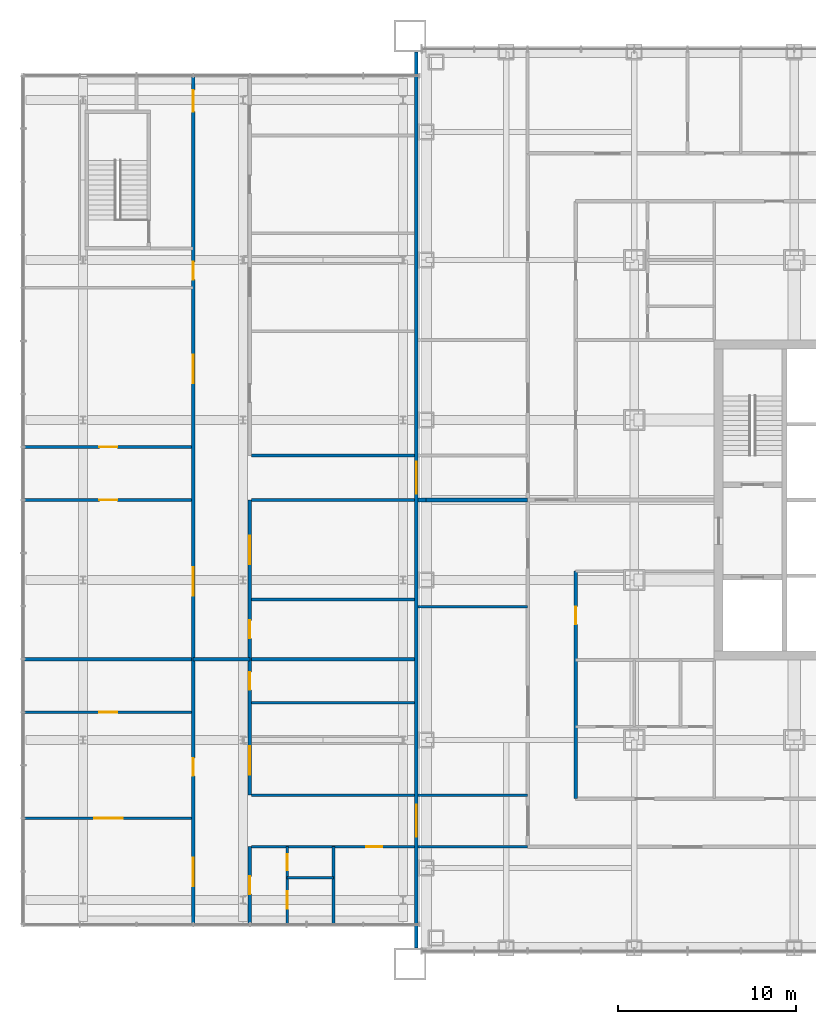
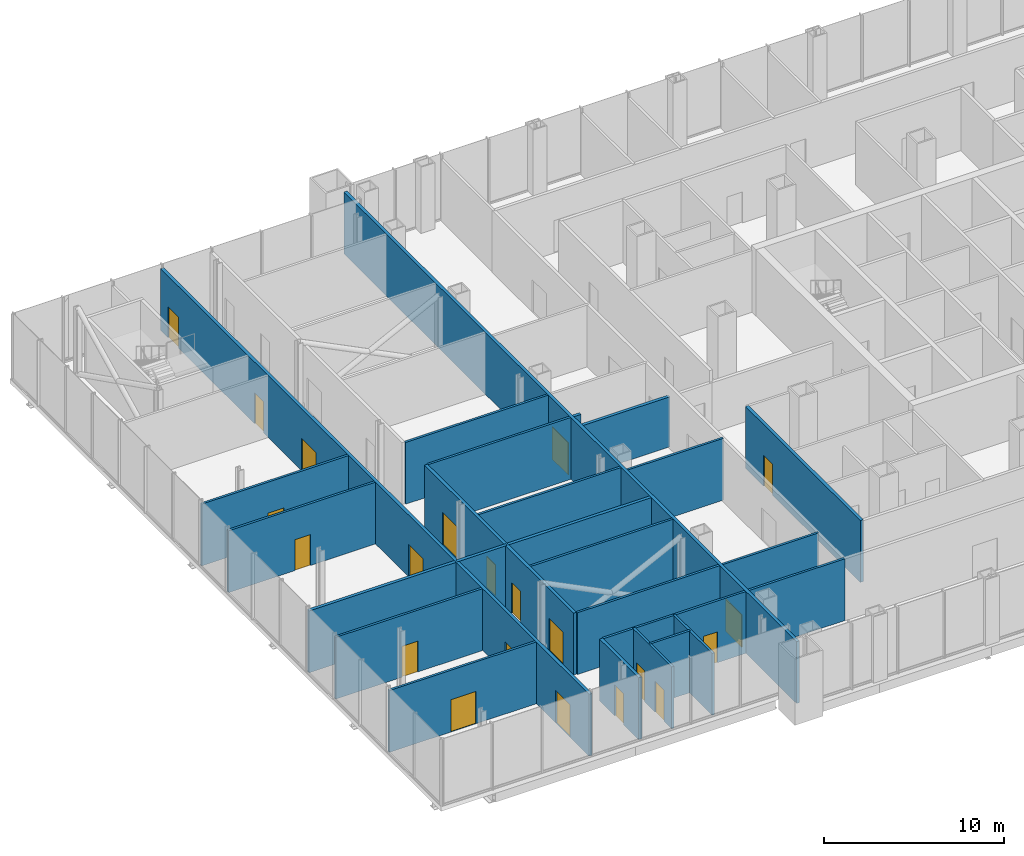
# One storey, part 15 of 25: 26 walls, 21 doors, 21 openings.
"""IFC4 building model written with IfcOpenShell, lengths in metres."""

from ifc_helpers import new_model, si_unit, direction, frame, frame_2d, origin, place, context, subcontext, project, spatial, rectangle, extrude, material, layer, layer_set, type_object, element, fill, save


model = new_model("IFC4")

# Units and contexts
model_context = context("Model", 3, precision=1e-05, world=origin(), true_north=direction((0.0, 1.0)))
body_context = subcontext(model_context, "Body", "Model", "MODEL_VIEW")
ifc_project = project(units=[si_unit("LENGTHUNIT", "METRE"), si_unit("AREAUNIT", "SQUARE_METRE"), si_unit("VOLUMEUNIT", "CUBIC_METRE"), si_unit("PLANEANGLEUNIT", "RADIAN"), si_unit("MASSUNIT", "GRAM", prefix="KILO")], contexts=[model_context])

# Site, building, storey
site_placement = place(None, origin())
site = spatial("IfcSite", under=ifc_project, at=site_placement, CompositionType="ELEMENT")
building_placement = place(site_placement, origin())
building = spatial("IfcBuilding", under=site, at=building_placement, Name="Malebo Sky Hospital", CompositionType="ELEMENT")
storey_placement = place(building_placement, frame((0.0, 0.0, 16.5)))
storey = spatial("IfcBuildingStorey", under=building, at=storey_placement, Name="L03", CompositionType="ELEMENT", Elevation=16.5)

# Wall, opening, door
ifc_material_1 = material(Name="Gypsum board on steel studs", Category="steel")
ifc_layer_1 = layer(ifc_material_1, 0.199951171875)
ifc_layer_set_1 = layer_set([ifc_layer_1], Name="CORRIDOR WALL 200")
wall_type_1 = type_object("IfcWallType", Name="CORRIDOR WALL 200", PredefinedType="PARTITIONING", material=ifc_layer_set_1)
wall_1_placement = place(storey_placement, frame((43.199951171875, 45.199951171875, 0.0), z_axis=(0.0, 0.0, 1.0), x_axis=(0.0, 1.0, 0.0)))
wall_1 = element("IfcWall", 1, at=wall_1_placement, inside=storey, type_object=wall_type_1, Name="Corridor Wall 200 WCI1", PredefinedType="PARTITIONING", context=body_context, shape_type="SweptSolid", body=[
    extrude(rectangle(XDim=12.800048828125, YDim=0.199951171875, at=frame_2d((6.39990234375, 0.0))), origin(), (0.0, 0.0, 1.0), 4.199951171875),
])
opening_1_placement = place(wall_1_placement, frame((9.800048828125, 0.0, 0.0)))
opening_1 = element("IfcOpeningElement", 2, at=opening_1_placement, cuts=wall_1, Name="Opening D03", PredefinedType="OPENING", context=body_context, shape_type="SweptSolid", body=[
    extrude(rectangle(XDim=1.0, YDim=2.10009765625, at=frame_2d((0.5, 1.050048828125))), frame((0.0, 0.10986328125, 0.0), z_axis=(0.0, -1.0, 0.0), x_axis=(1.0, 0.0, 0.0)), (0.0, 0.0, 1.0), 0.219970703125),
])
ifc_material_2 = material(Name="Hardwood-faced door leaf in steel frame", Category="steel")
door_type_1 = type_object("IfcDoorType", Name="ROOM DOOR 1000", OperationType="SINGLE_SWING_LEFT", PredefinedType="DOOR", material=ifc_material_2)
door_1_placement = place(opening_1_placement, origin())
door_1 = element("IfcDoor", 3, at=door_1_placement, inside=storey, type_object=door_type_1, Name="Staff rest room door", OperationType="SINGLE_SWING_LEFT", OverallHeight=2.10009765625, OverallWidth=1.0, PredefinedType="DOOR", context=body_context, shape_type="SweptSolid", body=[
    extrude(rectangle(XDim=1.0, YDim=2.10009765625, at=frame_2d((0.5, 1.050048828125))), frame((0.0, 0.02490234375, 0.0), z_axis=(0.0, -1.0, 0.0), x_axis=(1.0, 0.0, 0.0)), (0.0, 0.0, 1.0), 0.050048828125),
])
fill(opening_1, door_1)

# Wall, openings, doors
wall_2_placement = place(storey_placement, frame((21.693115234375, 38.14990234375, 0.0), z_axis=(0.0, 0.0, 1.0), x_axis=(0.0, 1.0, 0.0)))
wall_2 = element("IfcWall", 4, at=wall_2_placement, inside=storey, type_object=wall_type_1, Name="Corridor Wall 200 WWC1", PredefinedType="PARTITIONING", context=body_context, shape_type="SweptSolid", body=[
    extrude(rectangle(XDim=47.7001953125, YDim=0.199951171875, at=frame_2d((23.85009765625, 0.0))), origin(), (0.0, 0.0, 1.0), 4.199951171875),
])
opening_2_placement = place(wall_2_placement, frame((45.699951171875, 0.0, 0.0)))
opening_2 = element("IfcOpeningElement", 5, at=opening_2_placement, cuts=wall_2, Name="Opening D08", PredefinedType="OPENING", context=body_context, shape_type="SweptSolid", body=[
    extrude(rectangle(XDim=1.199951171875, YDim=2.10009765625, at=frame_2d((0.60009765625, 1.050048828125))), frame((0.0, 0.10986328125, 0.0), z_axis=(0.0, -1.0, 0.0), x_axis=(1.0, 0.0, 0.0)), (0.0, 0.0, 1.0), 0.219970703125),
])
opening_3_placement = place(wall_2_placement, frame((36.24365234375, 0.0, 0.0)))
opening_3 = element("IfcOpeningElement", 6, at=opening_3_placement, cuts=wall_2, Name="Opening D03", PredefinedType="OPENING", context=body_context, shape_type="SweptSolid", body=[
    extrude(rectangle(XDim=1.0, YDim=2.10009765625, at=frame_2d((0.5, 1.050048828125))), frame((0.0, 0.10986328125, 0.0), z_axis=(0.0, -1.0, 0.0), x_axis=(1.0, 0.0, 0.0)), (0.0, 0.0, 1.0), 0.219970703125),
])
opening_4_placement = place(wall_2_placement, frame((2.121826171875, 0.0, 0.0)))
opening_4 = element("IfcOpeningElement", 7, at=opening_4_placement, cuts=wall_2, Name="Opening D14", PredefinedType="OPENING", context=body_context, shape_type="SweptSolid", body=[
    extrude(rectangle(XDim=1.60009765625, YDim=2.199951171875, at=frame_2d((0.800048828125, 1.10009765625))), frame((0.0, 0.10986328125, 0.0), z_axis=(0.0, -1.0, 0.0), x_axis=(1.0, 0.0, 0.0)), (0.0, 0.0, 1.0), 0.219970703125),
])
opening_5_placement = place(wall_2_placement, frame((8.328125, 0.0, 0.0)))
opening_5 = element("IfcOpeningElement", 8, at=opening_5_placement, cuts=wall_2, Name="Opening D03", PredefinedType="OPENING", context=body_context, shape_type="SweptSolid", body=[
    extrude(rectangle(XDim=1.0, YDim=2.10009765625, at=frame_2d((0.5, 1.050048828125))), frame((0.0, 0.10986328125, 0.0), z_axis=(0.0, -1.0, 0.0), x_axis=(1.0, 0.0, 0.0)), (0.0, 0.0, 1.0), 0.219970703125),
])
opening_6_placement = place(wall_2_placement, frame((18.473388671875, 0.0, 0.0)))
opening_6 = element("IfcOpeningElement", 9, at=opening_6_placement, cuts=wall_2, Name="Opening D14", PredefinedType="OPENING", context=body_context, shape_type="SweptSolid", body=[
    extrude(rectangle(XDim=1.60009765625, YDim=2.199951171875, at=frame_2d((0.800048828125, 1.10009765625))), frame((0.0, 0.10986328125, 0.0), z_axis=(0.0, -1.0, 0.0), x_axis=(1.0, 0.0, 0.0)), (0.0, 0.0, 1.0), 0.219970703125),
])
opening_7_placement = place(wall_2_placement, frame((30.410888671875, 0.0, 0.0)))
opening_7 = element("IfcOpeningElement", 10, at=opening_7_placement, cuts=wall_2, Name="Opening D14", PredefinedType="OPENING", context=body_context, shape_type="SweptSolid", body=[
    extrude(rectangle(XDim=1.60009765625, YDim=2.199951171875, at=frame_2d((0.800048828125, 1.10009765625))), frame((0.0, 0.10986328125, 0.0), z_axis=(0.0, -1.0, 0.0), x_axis=(1.0, 0.0, 0.0)), (0.0, 0.0, 1.0), 0.219970703125),
])
door_type_2 = type_object("IfcDoorType", Name="DEPARTMENT DOOR PAIR 1600", OperationType="DOUBLE_DOOR_DOUBLE_SWING", PredefinedType="DOOR", material=ifc_material_2)
door_2_placement = place(opening_4_placement, origin())
door_2 = element("IfcDoor", 11, at=door_2_placement, inside=storey, type_object=door_type_2, Name="Dirty goods in door", OperationType="DOUBLE_DOOR_DOUBLE_SWING", OverallHeight=2.199951171875, OverallWidth=1.60009765625, PredefinedType="DOOR", context=body_context, shape_type="SweptSolid", body=[
    extrude(rectangle(XDim=1.60009765625, YDim=2.199951171875, at=frame_2d((0.800048828125, 1.10009765625))), frame((0.0, 0.02490234375, 0.0), z_axis=(0.0, -1.0, 0.0), x_axis=(1.0, 0.0, 0.0)), (0.0, 0.0, 1.0), 0.050048828125),
])
fill(opening_4, door_2)
door_3_placement = place(opening_6_placement, origin())
door_3 = element("IfcDoor", 12, at=door_3_placement, inside=storey, type_object=door_type_2, Name="Inspection and packing room door", OperationType="DOUBLE_DOOR_DOUBLE_SWING", OverallHeight=2.199951171875, OverallWidth=1.60009765625, PredefinedType="DOOR", context=body_context, shape_type="SweptSolid", body=[
    extrude(rectangle(XDim=1.60009765625, YDim=2.199951171875, at=frame_2d((0.800048828125, 1.10009765625))), frame((0.0, 0.02490234375, 0.0), z_axis=(0.0, -1.0, 0.0), x_axis=(1.0, 0.0, 0.0)), (0.0, 0.0, 1.0), 0.050048828125),
])
fill(opening_6, door_3)
door_4_placement = place(opening_7_placement, origin())
door_4 = element("IfcDoor", 13, at=door_4_placement, inside=storey, type_object=door_type_2, Name="Sterile store door", OperationType="DOUBLE_DOOR_DOUBLE_SWING", OverallHeight=2.199951171875, OverallWidth=1.60009765625, PredefinedType="DOOR", context=body_context, shape_type="SweptSolid", body=[
    extrude(rectangle(XDim=1.60009765625, YDim=2.199951171875, at=frame_2d((0.800048828125, 1.10009765625))), frame((0.0, 0.02490234375, 0.0), z_axis=(0.0, -1.0, 0.0), x_axis=(1.0, 0.0, 0.0)), (0.0, 0.0, 1.0), 0.050048828125),
])
fill(opening_7, door_4)
door_5_placement = place(opening_3_placement, origin())
door_5 = element("IfcDoor", 14, at=door_5_placement, inside=storey, type_object=door_type_1, Name="Sterile goods store door", OperationType="SINGLE_SWING_LEFT", OverallHeight=2.10009765625, OverallWidth=1.0, PredefinedType="DOOR", context=body_context, shape_type="SweptSolid", body=[
    extrude(rectangle(XDim=1.0, YDim=2.10009765625, at=frame_2d((0.5, 1.050048828125))), frame((0.0, 0.02490234375, 0.0), z_axis=(0.0, -1.0, 0.0), x_axis=(1.0, 0.0, 0.0)), (0.0, 0.0, 1.0), 0.050048828125),
])
fill(opening_3, door_5)
door_6_placement = place(opening_5_placement, origin())
door_6 = element("IfcDoor", 15, at=door_6_placement, inside=storey, type_object=door_type_1, Name="Decontamination room door", OperationType="SINGLE_SWING_LEFT", OverallHeight=2.10009765625, OverallWidth=1.0, PredefinedType="DOOR", context=body_context, shape_type="SweptSolid", body=[
    extrude(rectangle(XDim=1.0, YDim=2.10009765625, at=frame_2d((0.5, 1.050048828125))), frame((0.0, 0.02490234375, 0.0), z_axis=(0.0, -1.0, 0.0), x_axis=(1.0, 0.0, 0.0)), (0.0, 0.0, 1.0), 0.050048828125),
])
fill(opening_5, door_6)
door_type_3 = type_object("IfcDoorType", Name="STAIR DOOR 1200", OperationType="SINGLE_SWING_LEFT", PredefinedType="DOOR", material=ifc_material_2)
door_7_placement = place(opening_2_placement, origin())
door_7 = element("IfcDoor", 16, at=door_7_placement, inside=storey, type_object=door_type_3, Name="Stair lobby door", OperationType="SINGLE_SWING_RIGHT", OverallHeight=2.10009765625, OverallWidth=1.199951171875, PredefinedType="DOOR", context=body_context, shape_type="SweptSolid", body=[
    extrude(rectangle(XDim=1.199951171875, YDim=2.10009765625, at=frame_2d((0.60009765625, 1.050048828125))), frame((0.0, 0.02490234375, 0.0), z_axis=(0.0, -1.0, 0.0), x_axis=(1.0, 0.0, 0.0)), (0.0, 0.0, 1.0), 0.050048828125),
])
fill(opening_2, door_7)

# Wall, opening, door
wall_3_placement = place(storey_placement, frame((24.882080078125, 38.14990234375, 0.0), z_axis=(0.0, 0.0, 1.0), x_axis=(0.0, 1.0, 0.0)))
wall_3 = element("IfcWall", 17, at=wall_3_placement, inside=storey, type_object=wall_type_1, Name="Corridor Wall 200 WWC2A", PredefinedType="PARTITIONING", context=body_context, shape_type="SweptSolid", body=[
    extrude(rectangle(XDim=4.35009765625, YDim=0.199951171875, at=frame_2d((2.175048828125, 0.0))), origin(), (0.0, 0.0, 1.0), 4.199951171875),
])
opening_8_placement = place(wall_3_placement, frame((1.675048828125, 0.0, 0.0)))
opening_8 = element("IfcOpeningElement", 18, at=opening_8_placement, cuts=wall_3, Name="Opening D03", PredefinedType="OPENING", context=body_context, shape_type="SweptSolid", body=[
    extrude(rectangle(XDim=1.0, YDim=2.10009765625, at=frame_2d((0.5, 1.050048828125))), frame((0.0, 0.10986328125, 0.0), z_axis=(0.0, -1.0, 0.0), x_axis=(1.0, 0.0, 0.0)), (0.0, 0.0, 1.0), 0.219970703125),
])
door_8_placement = place(opening_8_placement, origin())
door_8 = element("IfcDoor", 19, at=door_8_placement, inside=storey, type_object=door_type_1, Name="WC vestibule door", OperationType="SINGLE_SWING_RIGHT", OverallHeight=2.10009765625, OverallWidth=1.0, PredefinedType="DOOR", context=body_context, shape_type="SweptSolid", body=[
    extrude(rectangle(XDim=1.0, YDim=2.10009765625, at=frame_2d((0.5, 1.050048828125))), frame((0.0, 0.02490234375, 0.0), z_axis=(0.0, -1.0, 0.0), x_axis=(1.0, 0.0, 0.0)), (0.0, 0.0, 1.0), 0.050048828125),
])
fill(opening_8, door_8)

# Wall, openings, doors
wall_4_placement = place(storey_placement, frame((24.882080078125, 45.39990234375, 0.0), z_axis=(0.0, 0.0, 1.0), x_axis=(0.0, 1.0, 0.0)))
wall_4 = element("IfcWall", 20, at=wall_4_placement, inside=storey, type_object=wall_type_1, Name="Corridor Wall 200 WWC2B", PredefinedType="PARTITIONING", context=body_context, shape_type="SweptSolid", body=[
    extrude(rectangle(XDim=16.60009765625, YDim=0.199951171875, at=frame_2d((8.300048828125, 0.0))), origin(), (0.0, 0.0, 1.0), 4.199951171875),
])
opening_9_placement = place(wall_4_placement, frame((1.14990234375, 0.0, 0.0)))
opening_9 = element("IfcOpeningElement", 21, at=opening_9_placement, cuts=wall_4, Name="Opening D14", PredefinedType="OPENING", context=body_context, shape_type="SweptSolid", body=[
    extrude(rectangle(XDim=1.60009765625, YDim=2.199951171875, at=frame_2d((0.800048828125, 1.10009765625))), frame((0.0, 0.10986328125, 0.0), z_axis=(0.0, -1.0, 0.0), x_axis=(1.0, 0.0, 0.0)), (0.0, 0.0, 1.0), 0.219970703125),
])
opening_10_placement = place(wall_4_placement, frame((5.923583984375, 0.0, 0.0)))
opening_10 = element("IfcOpeningElement", 22, at=opening_10_placement, cuts=wall_4, Name="Opening D03", PredefinedType="OPENING", context=body_context, shape_type="SweptSolid", body=[
    extrude(rectangle(XDim=1.0, YDim=2.10009765625, at=frame_2d((0.5, 1.050048828125))), frame((0.0, 0.10986328125, 0.0), z_axis=(0.0, -1.0, 0.0), x_axis=(1.0, 0.0, 0.0)), (0.0, 0.0, 1.0), 0.219970703125),
])
opening_11_placement = place(wall_4_placement, frame((8.823486328125, 0.0, 0.0)))
opening_11 = element("IfcOpeningElement", 23, at=opening_11_placement, cuts=wall_4, Name="Opening D03", PredefinedType="OPENING", context=body_context, shape_type="SweptSolid", body=[
    extrude(rectangle(XDim=1.0, YDim=2.10009765625, at=frame_2d((0.5, 1.050048828125))), frame((0.0, 0.10986328125, 0.0), z_axis=(0.0, -1.0, 0.0), x_axis=(1.0, 0.0, 0.0)), (0.0, 0.0, 1.0), 0.219970703125),
])
opening_12_placement = place(wall_4_placement, frame((13.0, 0.0, 0.0)))
opening_12 = element("IfcOpeningElement", 24, at=opening_12_placement, cuts=wall_4, Name="Opening D14", PredefinedType="OPENING", context=body_context, shape_type="SweptSolid", body=[
    extrude(rectangle(XDim=1.60009765625, YDim=2.199951171875, at=frame_2d((0.800048828125, 1.10009765625))), frame((0.0, 0.10986328125, 0.0), z_axis=(0.0, -1.0, 0.0), x_axis=(1.0, 0.0, 0.0)), (0.0, 0.0, 1.0), 0.219970703125),
])
door_9_placement = place(opening_9_placement, origin())
door_9 = element("IfcDoor", 25, at=door_9_placement, inside=storey, type_object=door_type_2, Name="Trolley wash room door", OperationType="DOUBLE_DOOR_DOUBLE_SWING", OverallHeight=2.199951171875, OverallWidth=1.60009765625, PredefinedType="DOOR", context=body_context, shape_type="SweptSolid", body=[
    extrude(rectangle(XDim=1.60009765625, YDim=2.199951171875, at=frame_2d((0.800048828125, 1.10009765625))), frame((0.0, 0.02490234375, 0.0), z_axis=(0.0, -1.0, 0.0), x_axis=(1.0, 0.0, 0.0)), (0.0, 0.0, 1.0), 0.050048828125),
])
fill(opening_9, door_9)
door_10_placement = place(opening_12_placement, origin())
door_10 = element("IfcDoor", 26, at=door_10_placement, inside=storey, type_object=door_type_2, Name="Clean goods out door", OperationType="DOUBLE_DOOR_DOUBLE_SWING", OverallHeight=2.199951171875, OverallWidth=1.60009765625, PredefinedType="DOOR", context=body_context, shape_type="SweptSolid", body=[
    extrude(rectangle(XDim=1.60009765625, YDim=2.199951171875, at=frame_2d((0.800048828125, 1.10009765625))), frame((0.0, 0.02490234375, 0.0), z_axis=(0.0, -1.0, 0.0), x_axis=(1.0, 0.0, 0.0)), (0.0, 0.0, 1.0), 0.050048828125),
])
fill(opening_12, door_10)
door_11_placement = place(opening_10_placement, origin())
door_11 = element("IfcDoor", 27, at=door_11_placement, inside=storey, type_object=door_type_1, Name="Sterile services changing room door", OperationType="SINGLE_SWING_RIGHT", OverallHeight=2.10009765625, OverallWidth=1.0, PredefinedType="DOOR", context=body_context, shape_type="SweptSolid", body=[
    extrude(rectangle(XDim=1.0, YDim=2.10009765625, at=frame_2d((0.5, 1.050048828125))), frame((0.0, 0.02490234375, 0.0), z_axis=(0.0, -1.0, 0.0), x_axis=(1.0, 0.0, 0.0)), (0.0, 0.0, 1.0), 0.050048828125),
])
fill(opening_10, door_11)
door_12_placement = place(opening_11_placement, origin())
door_12 = element("IfcDoor", 28, at=door_12_placement, inside=storey, type_object=door_type_1, Name="Sterile services office door", OperationType="SINGLE_SWING_LEFT", OverallHeight=2.10009765625, OverallWidth=1.0, PredefinedType="DOOR", context=body_context, shape_type="SweptSolid", body=[
    extrude(rectangle(XDim=1.0, YDim=2.10009765625, at=frame_2d((0.5, 1.050048828125))), frame((0.0, 0.02490234375, 0.0), z_axis=(0.0, -1.0, 0.0), x_axis=(1.0, 0.0, 0.0)), (0.0, 0.0, 1.0), 0.050048828125),
])
fill(opening_11, door_12)

ifc_material_3 = material(Name="Concrete blockwork", Category="masonry")
ifc_layer_2 = layer(ifc_material_3, 0.199951171875)
ifc_layer_set_2 = layer_set([ifc_layer_2], Name="MOVEMENT JOINT WALL 200")
wall_type_2 = type_object("IfcWallType", Name="MOVEMENT JOINT WALL 200", PredefinedType="SOLIDWALL", material=ifc_layer_set_2)
wall_5_placement = place(storey_placement, frame((34.25, 36.800048828125, 0.0), z_axis=(0.0, 0.0, 1.0), x_axis=(0.0, 1.0, 0.0)))
wall_5 = element("IfcWall", 29, at=wall_5_placement, inside=storey, type_object=wall_type_2, Name="Movement Joint Wall 200 WJ", PredefinedType="SOLIDWALL", context=body_context, shape_type="SweptSolid", body=[
    extrude(rectangle(XDim=50.39990234375, YDim=0.199951171875, at=frame_2d((25.199951171875, 0.0))), origin(), (0.0, 0.0, 1.0), 4.199951171875),
])
opening_13_placement = place(wall_5_placement, frame((6.25, 0.0, 0.0)))
opening_13 = element("IfcOpeningElement", 30, at=opening_13_placement, cuts=wall_5, Name="Opening D28", PredefinedType="OPENING", context=body_context, shape_type="SweptSolid", body=[
    extrude(rectangle(XDim=1.800048828125, YDim=2.199951171875, at=frame_2d((0.89990234375, 1.10009765625))), frame((0.0, 0.10986328125, 0.0), z_axis=(0.0, -1.0, 0.0), x_axis=(1.0, 0.0, 0.0)), (0.0, 0.0, 1.0), 0.219970703125),
])
opening_14_placement = place(wall_5_placement, frame((25.550048828125, 0.0, 0.0)))
opening_14 = element("IfcOpeningElement", 31, at=opening_14_placement, cuts=wall_5, Name="Opening D28", PredefinedType="OPENING", context=body_context, shape_type="SweptSolid", body=[
    extrude(rectangle(XDim=1.800048828125, YDim=2.199951171875, at=frame_2d((0.89990234375, 1.10009765625))), frame((0.0, 0.10986328125, 0.0), z_axis=(0.0, -1.0, 0.0), x_axis=(1.0, 0.0, 0.0)), (0.0, 0.0, 1.0), 0.219970703125),
])
door_type_4 = type_object("IfcDoorType", Name="FIRE DOOR PAIR 1800", OperationType="DOUBLE_DOOR_SINGLE_SWING", PredefinedType="DOOR", material=ifc_material_2)
door_13_placement = place(opening_13_placement, origin())
door_13 = element("IfcDoor", 32, at=door_13_placement, inside=storey, type_object=door_type_4, Name="Link fire door pair", OperationType="DOUBLE_DOOR_SINGLE_SWING", OverallHeight=2.199951171875, OverallWidth=1.800048828125, PredefinedType="DOOR", context=body_context, shape_type="SweptSolid", body=[
    extrude(rectangle(XDim=1.800048828125, YDim=2.199951171875, at=frame_2d((0.89990234375, 1.10009765625))), frame((0.0, 0.02490234375, 0.0), z_axis=(0.0, -1.0, 0.0), x_axis=(1.0, 0.0, 0.0)), (0.0, 0.0, 1.0), 0.050048828125),
])
fill(opening_13, door_13)
door_14_placement = place(opening_14_placement, origin())
door_14 = element("IfcDoor", 33, at=door_14_placement, inside=storey, type_object=door_type_4, Name="Link fire door pair", OperationType="DOUBLE_DOOR_SINGLE_SWING", OverallHeight=2.199951171875, OverallWidth=1.800048828125, PredefinedType="DOOR", context=body_context, shape_type="SweptSolid", body=[
    extrude(rectangle(XDim=1.800048828125, YDim=2.199951171875, at=frame_2d((0.89990234375, 1.10009765625))), frame((0.0, 0.02490234375, 0.0), z_axis=(0.0, -1.0, 0.0), x_axis=(1.0, 0.0, 0.0)), (0.0, 0.0, 1.0), 0.050048828125),
])
fill(opening_14, door_14)

# Walls
ifc_layer_3 = layer(ifc_material_1, 0.14990234375)
ifc_layer_set_3 = layer_set([ifc_layer_3], Name="PARTITION 150")
wall_type_3 = type_object("IfcWallType", Name="PARTITION 150", PredefinedType="PARTITIONING", material=ifc_layer_set_3)
for number, where, z_axis, x_axis, name in (
    (34, (40.5, 42.5, 0.0), (0.0, 0.0, 1.0), (-1.0, 0.0, 0.0), "Partition 150 WP-19.5"),
    (35, (40.5, 45.39990234375, 0.0), (0.0, 0.0, 1.0), (-1.0, 0.0, 0.0), "Partition 150 WP-16.6"),
    (36, (40.5, 56.0, 0.0), (0.0, 0.0, 1.0), (-1.0, 0.0, 0.0), "Partition 150 WP-6.0"),
):
    element("IfcWall", number, at=place(storey_placement, frame(where, z_axis=z_axis, x_axis=x_axis)), inside=storey, type_object=wall_type_3, Name=name, PredefinedType="PARTITIONING", context=body_context, shape_type="SweptSolid", body=[
        extrude(rectangle(XDim=6.14990234375, YDim=0.14990234375, at=frame_2d((3.074951171875, 0.0))), origin(), (0.0, 0.0, 1.0), 4.199951171875),
    ])

# Wall, opening, door
wall_6_placement = place(storey_placement, frame((12.14990234375, 44.09375, 0.0), z_axis=(0.0, 0.0, 1.0), x_axis=(1.0, 0.0, 0.0)))
wall_6 = element("IfcWall", 37, at=wall_6_placement, inside=storey, type_object=wall_type_3, Name="Partition 150 WOH00", PredefinedType="PARTITIONING", context=body_context, shape_type="SweptSolid", body=[
    extrude(rectangle(XDim=9.443115234375, YDim=0.14990234375, at=frame_2d((4.7216796875, 0.0))), origin(), (0.0, 0.0, 1.0), 4.199951171875),
])
opening_15_placement = place(wall_6_placement, frame((3.971435546875, 0.0, 0.0)))
opening_15 = element("IfcOpeningElement", 38, at=opening_15_placement, cuts=wall_6, Name="Opening D14", PredefinedType="OPENING", context=body_context, shape_type="SweptSolid", body=[
    extrude(rectangle(XDim=1.60009765625, YDim=2.199951171875, at=frame_2d((0.800048828125, 1.10009765625))), frame((0.0, 0.0849609375, 0.0), z_axis=(0.0, -1.0, 0.0), x_axis=(1.0, 0.0, 0.0)), (0.0, 0.0, 1.0), 0.169921875),
])
door_15_placement = place(opening_15_placement, origin())
door_15 = element("IfcDoor", 39, at=door_15_placement, inside=storey, type_object=door_type_2, Name="Decontamination room inner door", OperationType="DOUBLE_DOOR_DOUBLE_SWING", OverallHeight=2.199951171875, OverallWidth=1.60009765625, PredefinedType="DOOR", context=body_context, shape_type="SweptSolid", body=[
    extrude(rectangle(XDim=1.60009765625, YDim=2.199951171875, at=frame_2d((0.800048828125, 1.10009765625))), frame((0.0, 0.02490234375, 0.0), z_axis=(0.0, -1.0, 0.0), x_axis=(1.0, 0.0, 0.0)), (0.0, 0.0, 1.0), 0.050048828125),
])
fill(opening_15, door_15)

wall_7_placement = place(storey_placement, frame((12.14990234375, 50.0625, 0.0), z_axis=(0.0, 0.0, 1.0), x_axis=(1.0, 0.0, 0.0)))
wall_7 = element("IfcWall", 40, at=wall_7_placement, inside=storey, type_object=wall_type_3, Name="Partition 150 WOH01", PredefinedType="PARTITIONING", context=body_context, shape_type="SweptSolid", body=[
    extrude(rectangle(XDim=9.443115234375, YDim=0.14990234375, at=frame_2d((4.7216796875, 0.0))), origin(), (0.0, 0.0, 1.0), 4.199951171875),
])
opening_16_placement = place(wall_7_placement, frame((4.271484375, 0.0, 0.0)))
opening_16 = element("IfcOpeningElement", 41, at=opening_16_placement, cuts=wall_7, Name="Opening D03", PredefinedType="OPENING", context=body_context, shape_type="SweptSolid", body=[
    extrude(rectangle(XDim=1.0, YDim=2.10009765625, at=frame_2d((0.5, 1.050048828125))), frame((0.0, 0.0849609375, 0.0), z_axis=(0.0, -1.0, 0.0), x_axis=(1.0, 0.0, 0.0)), (0.0, 0.0, 1.0), 0.169921875),
])
door_16_placement = place(opening_16_placement, origin())
door_16 = element("IfcDoor", 42, at=door_16_placement, inside=storey, type_object=door_type_1, Name="Washer-disinfector room inner door", OperationType="SINGLE_SWING_RIGHT", OverallHeight=2.10009765625, OverallWidth=1.0, PredefinedType="DOOR", context=body_context, shape_type="SweptSolid", body=[
    extrude(rectangle(XDim=1.0, YDim=2.10009765625, at=frame_2d((0.5, 1.050048828125))), frame((0.0, 0.02490234375, 0.0), z_axis=(0.0, -1.0, 0.0), x_axis=(1.0, 0.0, 0.0)), (0.0, 0.0, 1.0), 0.050048828125),
])
fill(opening_16, door_16)

wall_8_placement = place(storey_placement, frame((12.14990234375, 62.0, 0.0), z_axis=(0.0, 0.0, 1.0), x_axis=(1.0, 0.0, 0.0)))
wall_8 = element("IfcWall", 43, at=wall_8_placement, inside=storey, type_object=wall_type_3, Name="Partition 150 WOH03", PredefinedType="PARTITIONING", context=body_context, shape_type="SweptSolid", body=[
    extrude(rectangle(XDim=9.443115234375, YDim=0.14990234375, at=frame_2d((4.7216796875, 0.0))), origin(), (0.0, 0.0, 1.0), 4.199951171875),
])
opening_17_placement = place(wall_8_placement, frame((4.271484375, 0.0, 0.0)))
opening_17 = element("IfcOpeningElement", 44, at=opening_17_placement, cuts=wall_8, Name="Opening D03", PredefinedType="OPENING", context=body_context, shape_type="SweptSolid", body=[
    extrude(rectangle(XDim=1.0, YDim=2.10009765625, at=frame_2d((0.5, 1.050048828125))), frame((0.0, 0.0849609375, 0.0), z_axis=(0.0, -1.0, 0.0), x_axis=(1.0, 0.0, 0.0)), (0.0, 0.0, 1.0), 0.169921875),
])
door_17_placement = place(opening_17_placement, origin())
door_17 = element("IfcDoor", 45, at=door_17_placement, inside=storey, type_object=door_type_1, Name="Sterilizer room inner door", OperationType="SINGLE_SWING_RIGHT", OverallHeight=2.10009765625, OverallWidth=1.0, PredefinedType="DOOR", context=body_context, shape_type="SweptSolid", body=[
    extrude(rectangle(XDim=1.0, YDim=2.10009765625, at=frame_2d((0.5, 1.050048828125))), frame((0.0, 0.02490234375, 0.0), z_axis=(0.0, -1.0, 0.0), x_axis=(1.0, 0.0, 0.0)), (0.0, 0.0, 1.0), 0.050048828125),
])
fill(opening_17, door_17)

wall_9_placement = place(storey_placement, frame((12.14990234375, 64.984375, 0.0), z_axis=(0.0, 0.0, 1.0), x_axis=(1.0, 0.0, 0.0)))
wall_9 = element("IfcWall", 46, at=wall_9_placement, inside=storey, type_object=wall_type_3, Name="Partition 150 WOH04", PredefinedType="PARTITIONING", context=body_context, shape_type="SweptSolid", body=[
    extrude(rectangle(XDim=9.443115234375, YDim=0.14990234375, at=frame_2d((4.7216796875, 0.0))), origin(), (0.0, 0.0, 1.0), 4.199951171875),
])
opening_18_placement = place(wall_9_placement, frame((4.271484375, 0.0, 0.0)))
opening_18 = element("IfcOpeningElement", 47, at=opening_18_placement, cuts=wall_9, Name="Opening D03", PredefinedType="OPENING", context=body_context, shape_type="SweptSolid", body=[
    extrude(rectangle(XDim=1.0, YDim=2.10009765625, at=frame_2d((0.5, 1.050048828125))), frame((0.0, 0.0849609375, 0.0), z_axis=(0.0, -1.0, 0.0), x_axis=(1.0, 0.0, 0.0)), (0.0, 0.0, 1.0), 0.169921875),
])
door_18_placement = place(opening_18_placement, origin())
door_18 = element("IfcDoor", 48, at=door_18_placement, inside=storey, type_object=door_type_1, Name="Sterile store inner door", OperationType="SINGLE_SWING_RIGHT", OverallHeight=2.10009765625, OverallWidth=1.0, PredefinedType="DOOR", context=body_context, shape_type="SweptSolid", body=[
    extrude(rectangle(XDim=1.0, YDim=2.10009765625, at=frame_2d((0.5, 1.050048828125))), frame((0.0, 0.02490234375, 0.0), z_axis=(0.0, -1.0, 0.0), x_axis=(1.0, 0.0, 0.0)), (0.0, 0.0, 1.0), 0.050048828125),
])
fill(opening_18, door_18)

# Wall
wall_10_placement = place(storey_placement, frame((26.98193359375, 40.75, 0.0), z_axis=(0.0, 0.0, 1.0), x_axis=(1.0, 0.0, 0.0)))
element("IfcWall", 49, at=wall_10_placement, inside=storey, type_object=wall_type_3, Name="Partition 150 WIH00", PredefinedType="PARTITIONING", context=body_context, shape_type="SweptSolid", body=[
    extrude(rectangle(XDim=2.60009765625, YDim=0.14990234375, at=frame_2d((1.300048828125, 0.0))), origin(), (0.0, 0.0, 1.0), 4.199951171875),
])

# Wall, opening, door
wall_11_placement = place(storey_placement, frame((24.98193359375, 42.5, 0.0), z_axis=(0.0, 0.0, 1.0), x_axis=(1.0, 0.0, 0.0)))
wall_11 = element("IfcWall", 50, at=wall_11_placement, inside=storey, type_object=wall_type_3, Name="Partition 150 WIH01", PredefinedType="PARTITIONING", context=body_context, shape_type="SweptSolid", body=[
    extrude(rectangle(XDim=9.16796875, YDim=0.14990234375, at=frame_2d((4.583984375, 0.0))), origin(), (0.0, 0.0, 1.0), 4.199951171875),
])
opening_19_placement = place(wall_11_placement, frame((6.43408203125, 0.0, 0.0)))
opening_19 = element("IfcOpeningElement", 51, at=opening_19_placement, cuts=wall_11, Name="Opening D04", PredefinedType="OPENING", context=body_context, shape_type="SweptSolid", body=[
    extrude(rectangle(XDim=0.89990234375, YDim=2.10009765625, at=frame_2d((0.449951171875, 1.050048828125))), frame((0.0, 0.0849609375, 0.0), z_axis=(0.0, -1.0, 0.0), x_axis=(1.0, 0.0, 0.0)), (0.0, 0.0, 1.0), 0.169921875),
])
door_type_5 = type_object("IfcDoorType", Name="ROOM DOOR 900", OperationType="SINGLE_SWING_LEFT", PredefinedType="DOOR", material=ifc_material_2)
door_19_placement = place(opening_19_placement, origin())
door_19 = element("IfcDoor", 52, at=door_19_placement, inside=storey, type_object=door_type_5, Name="Cleaner's room inner door", OperationType="SINGLE_SWING_LEFT", OverallHeight=2.10009765625, OverallWidth=0.89990234375, PredefinedType="DOOR", context=body_context, shape_type="SweptSolid", body=[
    extrude(rectangle(XDim=0.89990234375, YDim=2.10009765625, at=frame_2d((0.449951171875, 1.050048828125))), frame((0.0, 0.02490234375, 0.0), z_axis=(0.0, -1.0, 0.0), x_axis=(1.0, 0.0, 0.0)), (0.0, 0.0, 1.0), 0.050048828125),
])
fill(opening_19, door_19)

# Walls
for number, where, z_axis, x_axis, name in (
    (53, (24.98193359375, 45.39990234375, 0.0), (0.0, 0.0, 1.0), (1.0, 0.0, 0.0), "Partition 150 WIH02"),
    (54, (24.98193359375, 50.60009765625, 0.0), (0.0, 0.0, 1.0), (1.0, 0.0, 0.0), "Partition 150 WIH03"),
    (55, (24.98193359375, 56.39990234375, 0.0), (0.0, 0.0, 1.0), (1.0, 0.0, 0.0), "Partition 150 WIH05"),
    (56, (24.98193359375, 62.0, 0.0), (0.0, 0.0, 1.0), (1.0, 0.0, 0.0), "Partition 150 WIH06"),
    (57, (24.98193359375, 64.5, 0.0), (0.0, 0.0, 1.0), (1.0, 0.0, 0.0), "Partition 150 WIH07"),
):
    element("IfcWall", number, at=place(storey_placement, frame(where, z_axis=z_axis, x_axis=x_axis)), inside=storey, type_object=wall_type_3, Name=name, PredefinedType="PARTITIONING", context=body_context, shape_type="SweptSolid", body=[
        extrude(rectangle(XDim=9.16796875, YDim=0.14990234375, at=frame_2d((4.583984375, 0.0))), origin(), (0.0, 0.0, 1.0), 4.199951171875),
    ])

# Wall, openings, doors
wall_12_placement = place(storey_placement, frame((26.98193359375, 38.14990234375, 0.0), z_axis=(0.0, 0.0, 1.0), x_axis=(0.0, 1.0, 0.0)))
wall_12 = element("IfcWall", 58, at=wall_12_placement, inside=storey, type_object=wall_type_3, Name="Partition 150 WIV11", PredefinedType="PARTITIONING", context=body_context, shape_type="SweptSolid", body=[
    extrude(rectangle(XDim=4.35009765625, YDim=0.14990234375, at=frame_2d((2.175048828125, 0.0))), origin(), (0.0, 0.0, 1.0), 4.199951171875),
])
opening_20_placement = place(wall_12_placement, frame((0.85009765625, 0.0, 0.0)))
opening_20 = element("IfcOpeningElement", 59, at=opening_20_placement, cuts=wall_12, Name="Opening D03", PredefinedType="OPENING", context=body_context, shape_type="SweptSolid", body=[
    extrude(rectangle(XDim=1.0, YDim=2.10009765625, at=frame_2d((0.5, 1.050048828125))), frame((0.0, 0.0849609375, 0.0), z_axis=(0.0, -1.0, 0.0), x_axis=(1.0, 0.0, 0.0)), (0.0, 0.0, 1.0), 0.169921875),
])
opening_21_placement = place(wall_12_placement, frame((3.02490234375, 0.0, 0.0)))
opening_21 = element("IfcOpeningElement", 60, at=opening_21_placement, cuts=wall_12, Name="Opening D04", PredefinedType="OPENING", context=body_context, shape_type="SweptSolid", body=[
    extrude(rectangle(XDim=0.89990234375, YDim=2.10009765625, at=frame_2d((0.449951171875, 1.050048828125))), frame((0.0, 0.0849609375, 0.0), z_axis=(0.0, -1.0, 0.0), x_axis=(1.0, 0.0, 0.0)), (0.0, 0.0, 1.0), 0.169921875),
])
door_20_placement = place(opening_20_placement, origin())
door_20 = element("IfcDoor", 61, at=door_20_placement, inside=storey, type_object=door_type_1, Name="Accessible WC inner door", OperationType="SINGLE_SWING_RIGHT", OverallHeight=2.10009765625, OverallWidth=1.0, PredefinedType="DOOR", context=body_context, shape_type="SweptSolid", body=[
    extrude(rectangle(XDim=1.0, YDim=2.10009765625, at=frame_2d((0.5, 1.050048828125))), frame((0.0, 0.02490234375, 0.0), z_axis=(0.0, -1.0, 0.0), x_axis=(1.0, 0.0, 0.0)), (0.0, 0.0, 1.0), 0.050048828125),
])
fill(opening_20, door_20)
door_21_placement = place(opening_21_placement, origin())
door_21 = element("IfcDoor", 62, at=door_21_placement, inside=storey, type_object=door_type_5, Name="Staff WC inner door", OperationType="SINGLE_SWING_LEFT", OverallHeight=2.10009765625, OverallWidth=0.89990234375, PredefinedType="DOOR", context=body_context, shape_type="SweptSolid", body=[
    extrude(rectangle(XDim=0.89990234375, YDim=2.10009765625, at=frame_2d((0.449951171875, 1.050048828125))), frame((0.0, 0.02490234375, 0.0), z_axis=(0.0, -1.0, 0.0), x_axis=(1.0, 0.0, 0.0)), (0.0, 0.0, 1.0), 0.050048828125),
])
fill(opening_21, door_21)

# Walls
wall_13_placement = place(storey_placement, frame((29.58203125, 38.14990234375, 0.0), z_axis=(0.0, 0.0, 1.0), x_axis=(0.0, 1.0, 0.0)))
element("IfcWall", 63, at=wall_13_placement, inside=storey, type_object=wall_type_3, Name="Partition 150 WIV12", PredefinedType="PARTITIONING", context=body_context, shape_type="SweptSolid", body=[
    extrude(rectangle(XDim=4.35009765625, YDim=0.14990234375, at=frame_2d((2.175048828125, 0.0))), origin(), (0.0, 0.0, 1.0), 4.199951171875),
])
ifc_layer_4 = layer(ifc_material_3, 0.199951171875)
ifc_layer_set_4 = layer_set([ifc_layer_4], Name="SMOKE BARRIER WALL 200")
wall_type_4 = type_object("IfcWallType", Name="SMOKE BARRIER WALL 200", PredefinedType="SOLIDWALL", material=ifc_layer_set_4)
wall_14_placement = place(storey_placement, frame((40.5, 62.0, 0.0), z_axis=(0.0, 0.0, 1.0), x_axis=(-1.0, 0.0, 0.0)))
element("IfcWall", 64, at=wall_14_placement, inside=storey, type_object=wall_type_4, Name="Smoke Barrier Wall 200 WP+0.0", PredefinedType="SOLIDWALL", context=body_context, shape_type="SweptSolid", body=[
    extrude(rectangle(XDim=5.699951171875, YDim=0.199951171875, at=frame_2d((2.85009765625, 0.0))), origin(), (0.0, 0.0, 1.0), 3.39990234375),
])
wall_15_placement = place(storey_placement, frame((34.800048828125, 62.0, 0.0), z_axis=(0.0, 0.0, 1.0), x_axis=(-1.0, 0.0, 0.0)))
element("IfcWall", 65, at=wall_15_placement, inside=storey, type_object=wall_type_4, Name="Smoke Barrier Wall 200 WP+0.0", PredefinedType="SOLIDWALL", context=body_context, shape_type="SweptSolid", body=[
    extrude(rectangle(XDim=0.449951171875, YDim=0.199951171875, at=frame_2d((0.22509765625, 0.0))), origin(), (0.0, 0.0, 1.0), 4.199951171875),
])
wall_16_placement = place(storey_placement, frame((21.693115234375, 53.046875, 0.0), z_axis=(0.0, 0.0, 1.0), x_axis=(1.0, 0.0, 0.0)))
element("IfcWall", 66, at=wall_16_placement, inside=storey, type_object=wall_type_4, Name="Smoke Barrier Wall 200 WWSB", PredefinedType="SOLIDWALL", context=body_context, shape_type="SweptSolid", body=[
    extrude(rectangle(XDim=3.18896484375, YDim=0.199951171875, at=frame_2d((1.594482421875, 0.0))), origin(), (0.0, 0.0, 1.0), 4.199951171875),
])
wall_17_placement = place(storey_placement, frame((12.14990234375, 53.046875, 0.0), z_axis=(0.0, 0.0, 1.0), x_axis=(1.0, 0.0, 0.0)))
element("IfcWall", 67, at=wall_17_placement, inside=storey, type_object=wall_type_4, Name="Smoke Barrier Wall 200 WOH02", PredefinedType="SOLIDWALL", context=body_context, shape_type="SweptSolid", body=[
    extrude(rectangle(XDim=9.443115234375, YDim=0.199951171875, at=frame_2d((4.7216796875, 0.0))), origin(), (0.0, 0.0, 1.0), 4.199951171875),
])
wall_18_placement = place(storey_placement, frame((24.98193359375, 53.046875, 0.0), z_axis=(0.0, 0.0, 1.0), x_axis=(1.0, 0.0, 0.0)))
element("IfcWall", 68, at=wall_18_placement, inside=storey, type_object=wall_type_4, Name="Smoke Barrier Wall 200 WIH04", PredefinedType="SOLIDWALL", context=body_context, shape_type="SweptSolid", body=[
    extrude(rectangle(XDim=9.16796875, YDim=0.199951171875, at=frame_2d((4.583984375, 0.0))), origin(), (0.0, 0.0, 1.0), 4.199951171875),
])

save(model, "model.ifc")
